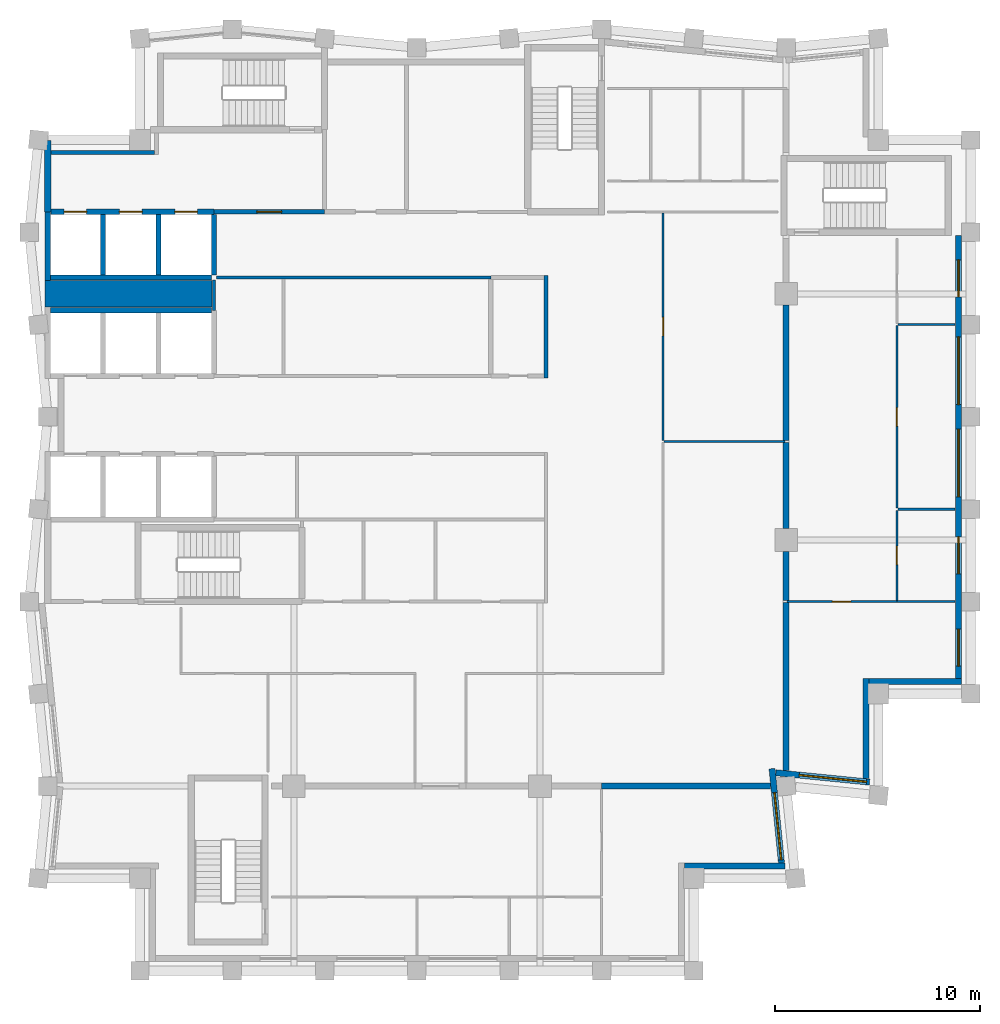
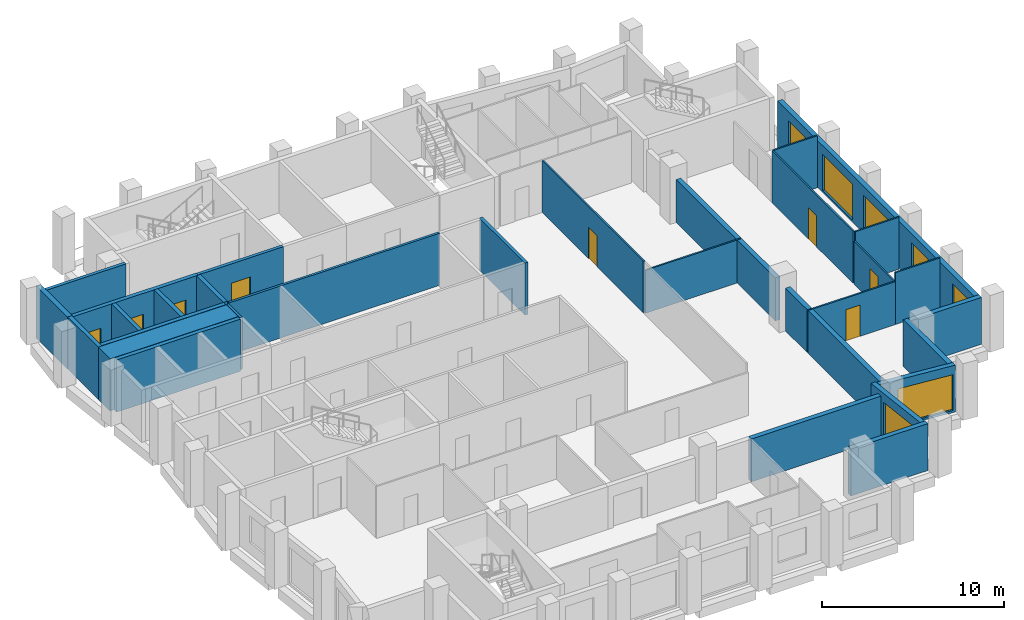
# One storey, part 4 of 7: 33 walls, 8 doors, 7 windows, 15 openings.
"""IFC4 building model written with IfcOpenShell, lengths in metres."""

from ifc_helpers import new_model, si_unit, direction, frame, frame_2d, origin, place, context, subcontext, project, spatial, rectangle, extrude, material, layer, layer_set, type_object, element, fill, save


model = new_model("IFC4")

# Units and contexts
model_context = context("Model", 3, precision=1e-05, world=origin(), true_north=direction((0.0, 1.0)))
body_context = subcontext(model_context, "Body", "Model", "MODEL_VIEW")
ifc_project = project(units=[si_unit("LENGTHUNIT", "METRE"), si_unit("AREAUNIT", "SQUARE_METRE"), si_unit("VOLUMEUNIT", "CUBIC_METRE"), si_unit("PLANEANGLEUNIT", "RADIAN"), si_unit("MASSUNIT", "GRAM", prefix="KILO")], contexts=[model_context])

# Site, building, storey
site_placement = place(None, origin())
site = spatial("IfcSite", under=ifc_project, at=site_placement, CompositionType="ELEMENT")
building_placement = place(site_placement, origin())
building = spatial("IfcBuilding", under=site, at=building_placement, Name="Brondeck Convention Tower", CompositionType="ELEMENT")
storey_placement = place(building_placement, frame((0.0, 0.0, 267.60009765625)))
storey = spatial("IfcBuildingStorey", under=building, at=storey_placement, Name="L66", CompositionType="ELEMENT", Elevation=267.60009765625)

# Walls
ifc_material_1 = material(Name="Concrete compartment wall C30/37", Category="concrete")
ifc_layer_1 = layer(ifc_material_1, 0.300048828125)
ifc_layer_set_1 = layer_set([ifc_layer_1], Name="Compartment wall 300")
wall_type_1 = type_object("IfcWallType", Name="Compartment wall 300", PredefinedType="PARTITIONING", material=ifc_layer_set_1)
wall_1_placement = place(storey_placement, frame((27.0, 27.0, 0.0), z_axis=(0.0, 0.0, 1.0), x_axis=(1.0, 0.0, 0.0)))
element("IfcWall", 1, at=wall_1_placement, inside=storey, type_object=wall_type_1, Name="FLR-L66-W018", PredefinedType="PARTITIONING", context=body_context, shape_type="SweptSolid", body=[
    extrude(rectangle(XDim=8.226318359375, YDim=0.300048828125, at=frame_2d((4.11328125, 0.0))), origin(), (0.0, 0.0, 1.0), 2.8798828125),
])
wall_2_placement = place(storey_placement, frame((36.0, 27.773681640625, 0.0), z_axis=(0.0, 0.0, 1.0), x_axis=(0.0, 1.0, 0.0)))
element("IfcWall", 2, at=wall_2_placement, inside=storey, type_object=wall_type_1, Name="FLR-L66-W021", PredefinedType="PARTITIONING", context=body_context, shape_type="SweptSolid", body=[
    extrude(rectangle(XDim=8.17626953125, YDim=0.300048828125, at=frame_2d((4.088134765625, 0.0))), origin(), (0.0, 0.0, 1.0), 2.8798828125),
])
wall_3_placement = place(storey_placement, frame((36.0, 36.050048828125, 0.0), z_axis=(0.0, 0.0, 1.0), x_axis=(0.0, 1.0, 0.0)))
element("IfcWall", 3, at=wall_3_placement, inside=storey, type_object=wall_type_1, Name="FLR-L66-W031", PredefinedType="PARTITIONING", context=body_context, shape_type="SweptSolid", body=[
    extrude(rectangle(XDim=2.39501953125, YDim=0.300048828125, at=frame_2d((1.197509765625, 0.0))), origin(), (0.0, 0.0, 1.0), 2.8798828125),
])
wall_4_placement = place(storey_placement, frame((36.0, 39.554931640625, 0.0), z_axis=(0.0, 0.0, 1.0), x_axis=(0.0, 1.0, 0.0)))
element("IfcWall", 4, at=wall_4_placement, inside=storey, type_object=wall_type_1, Name="FLR-L66-W032", PredefinedType="PARTITIONING", context=body_context, shape_type="SweptSolid", body=[
    extrude(rectangle(XDim=4.195068359375, YDim=0.300048828125, at=frame_2d((2.09765625, 0.0))), origin(), (0.0, 0.0, 1.0), 2.8798828125),
])
wall_5_placement = place(storey_placement, frame((36.0, 43.85009765625, 0.0), z_axis=(0.0, 0.0, 1.0), x_axis=(0.0, 1.0, 0.0)))
element("IfcWall", 5, at=wall_5_placement, inside=storey, type_object=wall_type_1, Name="FLR-L66-W037", PredefinedType="PARTITIONING", context=body_context, shape_type="SweptSolid", body=[
    extrude(rectangle(XDim=6.594970703125, YDim=0.300048828125, at=frame_2d((3.29736328125, 0.0))), origin(), (0.0, 0.0, 1.0), 2.8798828125),
])
ifc_material_2 = material(Name="Concrete C50/60", Category="concrete")
ifc_layer_2 = layer(ifc_material_2, 0.199951171875)
ifc_layer_set_2 = layer_set([ifc_layer_2], Name="Core beam-seat wall 200 Concrete C50/60")
wall_type_2 = type_object("IfcWallType", Name="Core beam-seat wall 200 Concrete C50/60", PredefinedType="SHEAR", material=ifc_layer_set_2)
wall_6_placement = place(storey_placement, frame((24.300048828125, 46.89990234375, 0.0), z_axis=(0.0, 0.0, 1.0), x_axis=(0.0, 1.0, 0.0)))
element("IfcWall", 6, at=wall_6_placement, inside=storey, type_object=wall_type_2, Name="L66 core wall", PredefinedType="SHEAR", context=body_context, shape_type="SweptSolid", body=[
    extrude(rectangle(XDim=5.0, YDim=0.199951171875, at=frame_2d((2.5, 0.0))), origin(), (0.0, 0.0, 1.0), 3.5),
])
ifc_layer_3 = layer(ifc_material_2, 0.300048828125)
ifc_layer_set_3 = layer_set([ifc_layer_3], Name="Core outer wall 300 Concrete C50/60")
wall_type_3 = type_object("IfcWallType", Name="Core outer wall 300 Concrete C50/60", PredefinedType="SHEAR", material=ifc_layer_set_3)
wall_7_placement = place(storey_placement, frame((0.0, 55.0, 0.0), z_axis=(0.0, 0.0, 1.0), x_axis=(0.0, 1.0, 0.0)))
element("IfcWall", 7, at=wall_7_placement, inside=storey, type_object=wall_type_3, Name="L66 core wall", PredefinedType="SHEAR", context=body_context, shape_type="SweptSolid", body=[
    extrude(rectangle(XDim=3.4775390625, YDim=0.300048828125, at=frame_2d((1.73876953125, 0.0))), origin(), (0.0, 0.0, 1.0), 3.5),
])
ifc_material_3 = material(Name="Fire-rated gypsum board partition")
ifc_layer_4 = layer(ifc_material_3, 0.14990234375)
ifc_layer_set_4 = layer_set([ifc_layer_4], Name="Core partition 150 EI 60")
wall_type_4 = type_object("IfcWallType", Name="Core partition 150 EI 60", PredefinedType="PARTITIONING", material=ifc_layer_set_4)
wall_8_placement = place(storey_placement, frame((8.22509765625, 51.800048828125, 0.0), z_axis=(0.0, 0.0, 1.0), x_axis=(1.0, 0.0, 0.0)))
element("IfcWall", 8, at=wall_8_placement, inside=storey, type_object=wall_type_4, Name="L66 core wall", PredefinedType="PARTITIONING", context=body_context, shape_type="SweptSolid", body=[
    extrude(rectangle(XDim=13.375, YDim=0.14990234375, at=frame_2d((6.6875, 0.0))), origin(), (0.0, 0.0, 1.0), 3.5),
])
wall_9_placement = place(storey_placement, frame((8.10009765625, 50.199951171875, 0.0), z_axis=(0.0, 0.0, 1.0), x_axis=(0.0, 1.0, 0.0)))
element("IfcWall", 9, at=wall_9_placement, inside=storey, type_object=wall_type_4, Name="L66 core wall", PredefinedType="PARTITIONING", context=body_context, shape_type="SweptSolid", body=[
    extrude(rectangle(XDim=1.47509765625, YDim=0.14990234375, at=frame_2d((0.737548828125, 0.0))), origin(), (0.0, 0.0, 1.0), 3.5),
])
ifc_layer_5 = layer(ifc_material_2, 1.300048828125)
ifc_layer_set_5 = layer_set([ifc_layer_5], Name="Core shear wall 1300 Concrete C50/60")
wall_type_5 = type_object("IfcWallType", Name="Core shear wall 1300 Concrete C50/60", PredefinedType="SHEAR", material=ifc_layer_set_5)
wall_10_placement = place(storey_placement, frame((-0.125, 51.0, 0.0), z_axis=(0.0, 0.0, 1.0), x_axis=(1.0, 0.0, 0.0)))
element("IfcWall", 10, at=wall_10_placement, inside=storey, type_object=wall_type_5, Name="L66 core wall", PredefinedType="SHEAR", context=body_context, shape_type="SweptSolid", body=[
    extrude(rectangle(XDim=8.125, YDim=1.300048828125, at=frame_2d((4.0625, 0.0))), origin(), (0.0, 0.0, 1.0), 3.5),
])
ifc_material_4 = material(Name="Precast concrete C50/60 bronze finish", Category="concrete")
ifc_layer_6 = layer(ifc_material_4, 0.070068359375, Name="Bronze precast facing")
ifc_material_5 = material(Name="Mineral wool")
ifc_layer_7 = layer(ifc_material_5, 0.159912109375, Name="Insulation")
ifc_material_6 = material(Name="Concrete C35/45", Category="concrete")
ifc_layer_8 = layer(ifc_material_6, 0.070068359375, Name="Backing")
ifc_layer_set_6 = layer_set([ifc_layer_6, ifc_layer_7, ifc_layer_8], Name="External infill wall, precast concrete C50/60 bronze facing")
wall_type_6 = type_object("IfcWallType", Name="External infill wall, precast concrete C50/60 bronze facing", PredefinedType="SOLIDWALL", material=ifc_layer_set_6)
wall_11_placement = place(storey_placement, frame((35.952880859375, 23.10009765625, 0.0), z_axis=(0.0, 0.0, 1.0), x_axis=(-1.0, 0.0, 0.0)))
element("IfcWall", 11, at=wall_11_placement, inside=storey, type_object=wall_type_6, Name="ENV-EW-L66-P3-NC-SEB18-02", PredefinedType="SOLIDWALL", context=body_context, shape_type="SweptSolid", body=[
    extrude(rectangle(XDim=4.90283203125, YDim=0.300048828125, at=frame_2d((2.451416015625, 0.0))), origin(), (0.0, 0.0, 1.0), 3.14990234375),
])

# Wall, opening, window
wall_12_placement = place(storey_placement, frame((35.311767578125, 27.852294921875, 0.0), z_axis=(0.0, 0.0, 1.0), x_axis=(0.099503719021, -0.99503719021, 0.0)))
wall_12 = element("IfcWall", 12, at=wall_12_placement, inside=storey, type_object=wall_type_6, Name="ENV-EW-L66-P3-B-E-00", PredefinedType="SOLIDWALL", context=body_context, shape_type="SweptSolid", body=[
    extrude(rectangle(XDim=4.6201171875, YDim=0.300048828125, at=frame_2d((2.31005859375, 0.0))), origin(), (0.0, 0.0, 1.0), 3.14990234375),
])
opening_1_placement = place(wall_12_placement, frame((1.170166015625, 0.0, 0.14990234375)))
opening_1 = element("IfcOpeningElement", 13, at=opening_1_placement, cuts=wall_12, Name="Opening W9", PredefinedType="OPENING", context=body_context, shape_type="SweptSolid", body=[
    extrude(rectangle(XDim=3.300048828125, YDim=2.39990234375, at=frame_2d((1.64990234375, 1.199951171875))), frame((0.0, 0.159912109375, 0.0), z_axis=(0.0, -1.0, 0.0), x_axis=(1.0, 0.0, 0.0)), (0.0, 0.0, 1.0), 0.320068359375),
])
ifc_material_7 = material(Name="Bronze tinted double glazing", Category="glass")
window_type_1 = type_object("IfcWindowType", Name="Glazed flute window, bronze tinted", PartitioningType="SINGLE_PANEL", PredefinedType="WINDOW", material=ifc_material_7)
window_1_placement = place(opening_1_placement, origin())
window_1 = element("IfcWindow", 14, at=window_1_placement, inside=storey, type_object=window_type_1, Name="ENV-WN-L66-P3-B-E-00", OverallHeight=2.39990234375, OverallWidth=3.300048828125, PartitioningType="SINGLE_PANEL", PredefinedType="WINDOW", context=body_context, shape_type="SweptSolid", body=[
    extrude(rectangle(XDim=3.300048828125, YDim=2.39990234375, at=frame_2d((1.64990234375, 1.199951171875))), frame((0.0, 0.030029296875, 0.0), z_axis=(0.0, -1.0, 0.0), x_axis=(1.0, 0.0, 0.0)), (0.0, 0.0, 1.0), 0.06005859375),
])
fill(opening_1, window_1)

wall_13_placement = place(storey_placement, frame((40.06494140625, 27.196533203125, 0.0), z_axis=(0.0, 0.0, 1.0), x_axis=(-0.995036663613, 0.099508984853, 0.0)))
wall_13 = element("IfcWall", 15, at=wall_13_placement, inside=storey, type_object=wall_type_6, Name="ENV-EW-L66-P3-A-S-00", PredefinedType="SOLIDWALL", context=body_context, shape_type="SweptSolid", body=[
    extrude(rectangle(XDim=4.59033203125, YDim=0.300048828125, at=frame_2d((2.295166015625, 0.0))), origin(), (0.0, 0.0, 1.0), 3.14990234375),
])
opening_2_placement = place(wall_13_placement, frame((0.14990234375, 0.0, 0.14990234375)))
opening_2 = element("IfcOpeningElement", 16, at=opening_2_placement, cuts=wall_13, Name="Opening W9", PredefinedType="OPENING", context=body_context, shape_type="SweptSolid", body=[
    extrude(rectangle(XDim=3.300048828125, YDim=2.39990234375, at=frame_2d((1.64990234375, 1.199951171875))), frame((0.0, 0.159912109375, 0.0), z_axis=(0.0, -1.0, 0.0), x_axis=(1.0, 0.0, 0.0)), (0.0, 0.0, 1.0), 0.320068359375),
])
window_2_placement = place(opening_2_placement, origin())
window_2 = element("IfcWindow", 17, at=window_2_placement, inside=storey, type_object=window_type_1, Name="ENV-WN-L66-P3-A-S-00", OverallHeight=2.39990234375, OverallWidth=3.300048828125, PartitioningType="SINGLE_PANEL", PredefinedType="WINDOW", context=body_context, shape_type="SweptSolid", body=[
    extrude(rectangle(XDim=3.300048828125, YDim=2.39990234375, at=frame_2d((1.64990234375, 1.199951171875))), frame((0.0, 0.030029296875, 0.0), z_axis=(0.0, -1.0, 0.0), x_axis=(1.0, 0.0, 0.0)), (0.0, 0.0, 1.0), 0.06005859375),
])
fill(opening_2, window_2)

# Walls
wall_14_placement = place(storey_placement, frame((39.89990234375, 32.25, 0.0), z_axis=(0.0, 0.0, 1.0), x_axis=(0.0, -1.0, 0.0)))
element("IfcWall", 18, at=wall_14_placement, inside=storey, type_object=wall_type_6, Name="ENV-EW-L66-P3-NC-SEA45-01", PredefinedType="SOLIDWALL", context=body_context, shape_type="SweptSolid", body=[
    extrude(rectangle(XDim=4.881103515625, YDim=0.300048828125, at=frame_2d((2.4404296875, 0.0))), origin(), (0.0, 0.0, 1.0), 3.14990234375),
])
wall_15_placement = place(storey_placement, frame((44.550048828125, 32.10009765625, 0.0), z_axis=(0.0, 0.0, 1.0), x_axis=(-1.0, 0.0, 0.0)))
element("IfcWall", 19, at=wall_15_placement, inside=storey, type_object=wall_type_6, Name="ENV-EW-L66-P3-NC-SEA45-02", PredefinedType="SOLIDWALL", context=body_context, shape_type="SweptSolid", body=[
    extrude(rectangle(XDim=4.501953125, YDim=0.300048828125, at=frame_2d((2.2509765625, 0.0))), origin(), (0.0, 0.0, 1.0), 3.14990234375),
])

# Wall, openings, windows
wall_16_placement = place(storey_placement, frame((44.39990234375, 53.85009765625, 0.0), z_axis=(0.0, 0.0, 1.0), x_axis=(0.0, -1.0, 0.0)))
wall_16 = element("IfcWall", 20, at=wall_16_placement, inside=storey, type_object=wall_type_6, Name="ENV-EW-L66-P3-A-E45-01", PredefinedType="SOLIDWALL", context=body_context, shape_type="SweptSolid", body=[
    extrude(rectangle(XDim=21.60205078125, YDim=0.300048828125, at=frame_2d((10.801025390625, 0.0))), origin(), (0.0, 0.0, 1.0), 3.14990234375),
])
opening_3_placement = place(wall_16_placement, frame((1.199951171875, 0.0, 0.75)))
opening_3 = element("IfcOpeningElement", 21, at=opening_3_placement, cuts=wall_16, Name="Opening W10", PredefinedType="OPENING", context=body_context, shape_type="SweptSolid", body=[
    extrude(rectangle(XDim=1.800048828125, YDim=1.800048828125, at=frame_2d((0.89990234375, 0.89990234375))), frame((0.0, 0.159912109375, 0.0), z_axis=(0.0, -1.0, 0.0), x_axis=(1.0, 0.0, 0.0)), (0.0, 0.0, 1.0), 0.320068359375),
])
opening_4_placement = place(wall_16_placement, frame((4.949951171875, 0.0, 0.14990234375)))
opening_4 = element("IfcOpeningElement", 22, at=opening_4_placement, cuts=wall_16, Name="Opening W9", PredefinedType="OPENING", context=body_context, shape_type="SweptSolid", body=[
    extrude(rectangle(XDim=3.300048828125, YDim=2.39990234375, at=frame_2d((1.64990234375, 1.199951171875))), frame((0.0, 0.159912109375, 0.0), z_axis=(0.0, -1.0, 0.0), x_axis=(1.0, 0.0, 0.0)), (0.0, 0.0, 1.0), 0.320068359375),
])
opening_5_placement = place(wall_16_placement, frame((9.449951171875, 0.0, 0.14990234375)))
opening_5 = element("IfcOpeningElement", 23, at=opening_5_placement, cuts=wall_16, Name="Opening W9", PredefinedType="OPENING", context=body_context, shape_type="SweptSolid", body=[
    extrude(rectangle(XDim=3.300048828125, YDim=2.39990234375, at=frame_2d((1.64990234375, 1.199951171875))), frame((0.0, 0.159912109375, 0.0), z_axis=(0.0, -1.0, 0.0), x_axis=(1.0, 0.0, 0.0)), (0.0, 0.0, 1.0), 0.320068359375),
])
opening_6_placement = place(wall_16_placement, frame((14.699951171875, 0.0, 0.75)))
opening_6 = element("IfcOpeningElement", 24, at=opening_6_placement, cuts=wall_16, Name="Opening W10", PredefinedType="OPENING", context=body_context, shape_type="SweptSolid", body=[
    extrude(rectangle(XDim=1.800048828125, YDim=1.800048828125, at=frame_2d((0.89990234375, 0.89990234375))), frame((0.0, 0.159912109375, 0.0), z_axis=(0.0, -1.0, 0.0), x_axis=(1.0, 0.0, 0.0)), (0.0, 0.0, 1.0), 0.320068359375),
])
opening_7_placement = place(wall_16_placement, frame((19.199951171875, 0.0, 0.75)))
opening_7 = element("IfcOpeningElement", 25, at=opening_7_placement, cuts=wall_16, Name="Opening W10", PredefinedType="OPENING", context=body_context, shape_type="SweptSolid", body=[
    extrude(rectangle(XDim=1.800048828125, YDim=1.800048828125, at=frame_2d((0.89990234375, 0.89990234375))), frame((0.0, 0.159912109375, 0.0), z_axis=(0.0, -1.0, 0.0), x_axis=(1.0, 0.0, 0.0)), (0.0, 0.0, 1.0), 0.320068359375),
])
window_3_placement = place(opening_4_placement, origin())
window_3 = element("IfcWindow", 26, at=window_3_placement, inside=storey, type_object=window_type_1, Name="ENV-WN-L66-P3-A-E45-04", OverallHeight=2.39990234375, OverallWidth=3.300048828125, PartitioningType="SINGLE_PANEL", PredefinedType="WINDOW", context=body_context, shape_type="SweptSolid", body=[
    extrude(rectangle(XDim=3.300048828125, YDim=2.39990234375, at=frame_2d((1.64990234375, 1.199951171875))), frame((0.0, 0.030029296875, 0.0), z_axis=(0.0, -1.0, 0.0), x_axis=(1.0, 0.0, 0.0)), (0.0, 0.0, 1.0), 0.06005859375),
])
fill(opening_4, window_3)
window_4_placement = place(opening_5_placement, origin())
window_4 = element("IfcWindow", 27, at=window_4_placement, inside=storey, type_object=window_type_1, Name="ENV-WN-L66-P3-A-E45-03", OverallHeight=2.39990234375, OverallWidth=3.300048828125, PartitioningType="SINGLE_PANEL", PredefinedType="WINDOW", context=body_context, shape_type="SweptSolid", body=[
    extrude(rectangle(XDim=3.300048828125, YDim=2.39990234375, at=frame_2d((1.64990234375, 1.199951171875))), frame((0.0, 0.030029296875, 0.0), z_axis=(0.0, -1.0, 0.0), x_axis=(1.0, 0.0, 0.0)), (0.0, 0.0, 1.0), 0.06005859375),
])
fill(opening_5, window_4)
window_type_2 = type_object("IfcWindowType", Name="Punched window, bronze tinted", PartitioningType="SINGLE_PANEL", PredefinedType="WINDOW", material=ifc_material_7)
window_5_placement = place(opening_3_placement, origin())
window_5 = element("IfcWindow", 28, at=window_5_placement, inside=storey, type_object=window_type_2, Name="ENV-WN-L66-P3-A-E45-05", OverallHeight=1.800048828125, OverallWidth=1.800048828125, PartitioningType="SINGLE_PANEL", PredefinedType="WINDOW", context=body_context, shape_type="SweptSolid", body=[
    extrude(rectangle(XDim=1.800048828125, YDim=1.800048828125, at=frame_2d((0.89990234375, 0.89990234375))), frame((0.0, 0.030029296875, 0.0), z_axis=(0.0, -1.0, 0.0), x_axis=(1.0, 0.0, 0.0)), (0.0, 0.0, 1.0), 0.06005859375),
])
fill(opening_3, window_5)
window_6_placement = place(opening_6_placement, origin())
window_6 = element("IfcWindow", 29, at=window_6_placement, inside=storey, type_object=window_type_2, Name="ENV-WN-L66-P3-A-E45-02", OverallHeight=1.800048828125, OverallWidth=1.800048828125, PartitioningType="SINGLE_PANEL", PredefinedType="WINDOW", context=body_context, shape_type="SweptSolid", body=[
    extrude(rectangle(XDim=1.800048828125, YDim=1.800048828125, at=frame_2d((0.89990234375, 0.89990234375))), frame((0.0, 0.030029296875, 0.0), z_axis=(0.0, -1.0, 0.0), x_axis=(1.0, 0.0, 0.0)), (0.0, 0.0, 1.0), 0.06005859375),
])
fill(opening_6, window_6)
window_7_placement = place(opening_7_placement, origin())
window_7 = element("IfcWindow", 30, at=window_7_placement, inside=storey, type_object=window_type_2, Name="ENV-WN-L66-P3-A-E45-01", OverallHeight=1.800048828125, OverallWidth=1.800048828125, PartitioningType="SINGLE_PANEL", PredefinedType="WINDOW", context=body_context, shape_type="SweptSolid", body=[
    extrude(rectangle(XDim=1.800048828125, YDim=1.800048828125, at=frame_2d((0.89990234375, 0.89990234375))), frame((0.0, 0.030029296875, 0.0), z_axis=(0.0, -1.0, 0.0), x_axis=(1.0, 0.0, 0.0)), (0.0, 0.0, 1.0), 0.06005859375),
])
fill(opening_7, window_7)

# Wall, opening, door
ifc_layer_9 = layer(ifc_material_3, 0.199951171875)
ifc_layer_set_7 = layer_set([ifc_layer_9], Name="Firefighting lobby wall 200 EI 120")
wall_type_7 = type_object("IfcWallType", Name="Firefighting lobby wall 200 EI 120", PredefinedType="PARTITIONING", material=ifc_layer_set_7)
wall_17_placement = place(storey_placement, frame((8.10009765625, 55.0, 0.0), z_axis=(0.0, 0.0, 1.0), x_axis=(1.0, 0.0, 0.0)))
wall_17 = element("IfcWall", 31, at=wall_17_placement, inside=storey, type_object=wall_type_7, Name="L66 core wall", PredefinedType="PARTITIONING", context=body_context, shape_type="SweptSolid", body=[
    extrude(rectangle(XDim=5.39990234375, YDim=0.199951171875, at=frame_2d((2.699951171875, 0.0))), origin(), (0.0, 0.0, 1.0), 3.5),
])
opening_8_placement = place(wall_17_placement, frame((2.10009765625, 0.0, 0.0)))
opening_8 = element("IfcOpeningElement", 32, at=opening_8_placement, cuts=wall_17, Name="Opening C37-01", PredefinedType="OPENING", context=body_context, shape_type="SweptSolid", body=[
    extrude(rectangle(XDim=1.199951171875, YDim=2.199951171875, at=frame_2d((0.60009765625, 1.10009765625))), frame((0.0, 0.10986328125, 0.0), z_axis=(0.0, -1.0, 0.0), x_axis=(1.0, 0.0, 0.0)), (0.0, 0.0, 1.0), 0.219970703125),
])
ifc_material_8 = material(Name="Steel fire door", Category="steel")
door_type_1 = type_object("IfcDoorType", Name="Firefighting lobby door 1200x2200 EI 120", OperationType="NOTDEFINED", PredefinedType="DOOR", material=ifc_material_8)
door_1_placement = place(opening_8_placement, origin())
door_1 = element("IfcDoor", 33, at=door_1_placement, inside=storey, type_object=door_type_1, Name="L66 Firefighting lobby door FFL-1", OperationType="SINGLE_SWING_RIGHT", OverallHeight=2.199951171875, OverallWidth=1.199951171875, PredefinedType="DOOR", context=body_context, shape_type="SweptSolid", body=[
    extrude(rectangle(XDim=1.199951171875, YDim=2.199951171875, at=frame_2d((0.60009765625, 1.10009765625))), frame((0.0, 0.02490234375, 0.0), z_axis=(0.0, -1.0, 0.0), x_axis=(1.0, 0.0, 0.0)), (0.0, 0.0, 1.0), 0.050048828125),
])
fill(opening_8, door_1)

# Walls
wall_18_placement = place(storey_placement, frame((0.14990234375, 57.89990234375, 0.0), z_axis=(0.0, 0.0, 1.0), x_axis=(1.0, 0.0, 0.0)))
element("IfcWall", 34, at=wall_18_placement, inside=storey, type_object=wall_type_7, Name="L66 core wall", PredefinedType="PARTITIONING", context=body_context, shape_type="SweptSolid", body=[
    extrude(rectangle(XDim=5.050048828125, YDim=0.199951171875, at=frame_2d((2.52490234375, 0.0))), origin(), (0.0, 0.0, 1.0), 3.5),
])
ifc_layer_10 = layer(ifc_material_2, 0.25)
ifc_layer_set_8 = layer_set([ifc_layer_10], Name="Lift shaft wall 250 Concrete C50/60")
wall_type_8 = type_object("IfcWallType", Name="Lift shaft wall 250 Concrete C50/60", PredefinedType="SHEAR", material=ifc_layer_set_8)
for number, where, z_axis, x_axis, name in (
    (35, (0.125, 50.199951171875, 0.0), (0.0, 0.0, 1.0), (1.0, 0.0, 0.0), "L66 core wall"),
    (36, (0.125, 51.800048828125, 0.0), (0.0, 0.0, 1.0), (1.0, 0.0, 0.0), "L66 core wall"),
):
    element("IfcWall", number, at=place(storey_placement, frame(where, z_axis=z_axis, x_axis=x_axis)), inside=storey, type_object=wall_type_8, Name=name, PredefinedType="SHEAR", context=body_context, shape_type="SweptSolid", body=[
        extrude(rectangle(XDim=7.85009765625, YDim=0.25, at=frame_2d((3.925048828125, 0.0))), origin(), (0.0, 0.0, 1.0), 3.5),
    ])

# Wall, openings, doors
wall_19_placement = place(storey_placement, frame((0.14990234375, 55.0, 0.0), z_axis=(0.0, 0.0, 1.0), x_axis=(1.0, 0.0, 0.0)))
wall_19 = element("IfcWall", 37, at=wall_19_placement, inside=storey, type_object=wall_type_8, Name="L66 core wall", PredefinedType="SHEAR", context=body_context, shape_type="SweptSolid", body=[
    extrude(rectangle(XDim=7.9501953125, YDim=0.25, at=frame_2d((3.97509765625, 0.0))), origin(), (0.0, 0.0, 1.0), 3.5),
])
opening_9_placement = place(wall_19_placement, frame((0.64990234375, 0.0, 0.0)))
opening_9 = element("IfcOpeningElement", 38, at=opening_9_placement, cuts=wall_19, Name="Opening C37-18", PredefinedType="OPENING", context=body_context, shape_type="SweptSolid", body=[
    extrude(rectangle(XDim=1.10009765625, YDim=2.10009765625, at=frame_2d((0.550048828125, 1.050048828125))), frame((0.0, 0.135009765625, 0.0), z_axis=(0.0, -1.0, 0.0), x_axis=(1.0, 0.0, 0.0)), (0.0, 0.0, 1.0), 0.27001953125),
])
opening_10_placement = place(wall_19_placement, frame((3.35009765625, 0.0, 0.0)))
opening_10 = element("IfcOpeningElement", 39, at=opening_10_placement, cuts=wall_19, Name="Opening C37-19", PredefinedType="OPENING", context=body_context, shape_type="SweptSolid", body=[
    extrude(rectangle(XDim=1.10009765625, YDim=2.10009765625, at=frame_2d((0.550048828125, 1.050048828125))), frame((0.0, 0.135009765625, 0.0), z_axis=(0.0, -1.0, 0.0), x_axis=(1.0, 0.0, 0.0)), (0.0, 0.0, 1.0), 0.27001953125),
])
opening_11_placement = place(wall_19_placement, frame((6.050048828125, 0.0, 0.0)))
opening_11 = element("IfcOpeningElement", 40, at=opening_11_placement, cuts=wall_19, Name="Opening C37-20", PredefinedType="OPENING", context=body_context, shape_type="SweptSolid", body=[
    extrude(rectangle(XDim=1.10009765625, YDim=2.10009765625, at=frame_2d((0.550048828125, 1.050048828125))), frame((0.0, 0.135009765625, 0.0), z_axis=(0.0, -1.0, 0.0), x_axis=(1.0, 0.0, 0.0)), (0.0, 0.0, 1.0), 0.27001953125),
])
ifc_material_9 = material(Name="Stainless steel lift door", Category="steel")
door_type_2 = type_object("IfcDoorType", Name="Lift landing door 1100x2100 EI 180", OperationType="DOUBLE_DOOR_SLIDING", PredefinedType="DOOR", material=ifc_material_9)
door_2_placement = place(opening_9_placement, origin())
door_2 = element("IfcDoor", 41, at=door_2_placement, inside=storey, type_object=door_type_2, Name="L66 Lift landing door FF1", OperationType="DOUBLE_DOOR_SLIDING", OverallHeight=2.10009765625, OverallWidth=1.10009765625, PredefinedType="DOOR", context=body_context, shape_type="SweptSolid", body=[
    extrude(rectangle(XDim=1.10009765625, YDim=2.10009765625, at=frame_2d((0.550048828125, 1.050048828125))), frame((0.0, 0.02490234375, 0.0), z_axis=(0.0, -1.0, 0.0), x_axis=(1.0, 0.0, 0.0)), (0.0, 0.0, 1.0), 0.050048828125),
])
fill(opening_9, door_2)
door_3_placement = place(opening_10_placement, origin())
door_3 = element("IfcDoor", 42, at=door_3_placement, inside=storey, type_object=door_type_2, Name="L66 Lift landing door FF2", OperationType="DOUBLE_DOOR_SLIDING", OverallHeight=2.10009765625, OverallWidth=1.10009765625, PredefinedType="DOOR", context=body_context, shape_type="SweptSolid", body=[
    extrude(rectangle(XDim=1.10009765625, YDim=2.10009765625, at=frame_2d((0.550048828125, 1.050048828125))), frame((0.0, 0.02490234375, 0.0), z_axis=(0.0, -1.0, 0.0), x_axis=(1.0, 0.0, 0.0)), (0.0, 0.0, 1.0), 0.050048828125),
])
fill(opening_10, door_3)
door_4_placement = place(opening_11_placement, origin())
door_4 = element("IfcDoor", 43, at=door_4_placement, inside=storey, type_object=door_type_2, Name="L66 Lift landing door FF3", OperationType="DOUBLE_DOOR_SLIDING", OverallHeight=2.10009765625, OverallWidth=1.10009765625, PredefinedType="DOOR", context=body_context, shape_type="SweptSolid", body=[
    extrude(rectangle(XDim=1.10009765625, YDim=2.10009765625, at=frame_2d((0.550048828125, 1.050048828125))), frame((0.0, 0.02490234375, 0.0), z_axis=(0.0, -1.0, 0.0), x_axis=(1.0, 0.0, 0.0)), (0.0, 0.0, 1.0), 0.050048828125),
])
fill(opening_11, door_4)

# Walls
wall_20_placement = place(storey_placement, frame((0.0, 51.64990234375, 0.0), z_axis=(0.0, 0.0, 1.0), x_axis=(0.0, 1.0, 0.0)))
element("IfcWall", 44, at=wall_20_placement, inside=storey, type_object=wall_type_8, Name="L66 core wall", PredefinedType="SHEAR", context=body_context, shape_type="SweptSolid", body=[
    extrude(rectangle(XDim=3.35009765625, YDim=0.25, at=frame_2d((1.675048828125, 0.0))), origin(), (0.0, 0.0, 1.0), 3.5),
])
for number, where, z_axis, x_axis, name in (
    (45, (2.699951171875, 51.925048828125, 0.0), (0.0, 0.0, 1.0), (0.0, 1.0, 0.0), "L66 core wall"),
    (46, (5.39990234375, 51.925048828125, 0.0), (0.0, 0.0, 1.0), (0.0, 1.0, 0.0), "L66 core wall"),
    (47, (8.10009765625, 51.925048828125, 0.0), (0.0, 0.0, 1.0), (0.0, 1.0, 0.0), "L66 core wall"),
):
    element("IfcWall", number, at=place(storey_placement, frame(where, z_axis=z_axis, x_axis=x_axis)), inside=storey, type_object=wall_type_8, Name=name, PredefinedType="SHEAR", context=body_context, shape_type="SweptSolid", body=[
        extrude(rectangle(XDim=2.949951171875, YDim=0.25, at=frame_2d((1.47509765625, 0.0))), origin(), (0.0, 0.0, 1.0), 3.5),
    ])

# Wall, opening, door
ifc_material_10 = material(Name="Gypsum board partition on steel studs", Category="steel")
ifc_layer_11 = layer(ifc_material_10, 0.10009765625)
ifc_layer_set_9 = layer_set([ifc_layer_11], Name="Room partition 100")
wall_type_9 = type_object("IfcWallType", Name="Room partition 100", PredefinedType="PARTITIONING", material=ifc_layer_set_9)
wall_21_placement = place(storey_placement, frame((41.39990234375, 36.0, 0.0), z_axis=(0.0, 0.0, 1.0), x_axis=(-1.0, 0.0, 0.0)))
wall_21 = element("IfcWall", 48, at=wall_21_placement, inside=storey, type_object=wall_type_9, Name="FLR-L66-W029", PredefinedType="PARTITIONING", context=body_context, shape_type="SweptSolid", body=[
    extrude(rectangle(XDim=5.349853515625, YDim=0.10009765625, at=frame_2d((2.6748046875, 0.0))), origin(), (0.0, 0.0, 1.0), 2.8798828125),
])
opening_12_placement = place(wall_21_placement, frame((2.25, 0.0, 0.0)))
opening_12 = element("IfcOpeningElement", 49, at=opening_12_placement, cuts=wall_21, Name="Opening EX-C-004", PredefinedType="OPENING", context=body_context, shape_type="SweptSolid", body=[
    extrude(rectangle(XDim=0.89990234375, YDim=2.10009765625, at=frame_2d((0.449951171875, 1.050048828125))), frame((0.0, 0.06005859375, 0.0), z_axis=(0.0, -1.0, 0.0), x_axis=(1.0, 0.0, 0.0)), (0.0, 0.0, 1.0), 0.1201171875),
])
ifc_material_11 = material(Name="Solid timber door leaf", Category="wood")
door_type_3 = type_object("IfcDoorType", Name="Single door 900", OperationType="NOTDEFINED", PredefinedType="DOOR", material=ifc_material_11)
door_5_placement = place(opening_12_placement, origin())
door_5 = element("IfcDoor", 50, at=door_5_placement, inside=storey, type_object=door_type_3, Name="Door EX-C-004", OperationType="SINGLE_SWING_LEFT", OverallHeight=2.10009765625, OverallWidth=0.89990234375, PredefinedType="DOOR", context=body_context, shape_type="SweptSolid", body=[
    extrude(rectangle(XDim=0.89990234375, YDim=2.10009765625, at=frame_2d((0.449951171875, 1.050048828125))), frame((0.0, 0.02490234375, 0.0), z_axis=(0.0, -1.0, 0.0), x_axis=(1.0, 0.0, 0.0)), (0.0, 0.0, 1.0), 0.050048828125),
])
fill(opening_12, door_5)

# Wall
wall_22_placement = place(storey_placement, frame((44.22998046875, 36.0, 0.0), z_axis=(0.0, 0.0, 1.0), x_axis=(-1.0, 0.0, 0.0)))
element("IfcWall", 51, at=wall_22_placement, inside=storey, type_object=wall_type_9, Name="FLR-L66-W030", PredefinedType="PARTITIONING", context=body_context, shape_type="SweptSolid", body=[
    extrude(rectangle(XDim=2.830078125, YDim=0.10009765625, at=frame_2d((1.4150390625, 0.0))), origin(), (0.0, 0.0, 1.0), 3.47998046875),
])

# Wall, opening, door
wall_23_placement = place(storey_placement, frame((41.39990234375, 40.449951171875, 0.0), z_axis=(0.0, 0.0, 1.0), x_axis=(0.0, -1.0, 0.0)))
wall_23 = element("IfcWall", 52, at=wall_23_placement, inside=storey, type_object=wall_type_9, Name="FLR-L66-W033", PredefinedType="PARTITIONING", context=body_context, shape_type="SweptSolid", body=[
    extrude(rectangle(XDim=4.39990234375, YDim=0.10009765625, at=frame_2d((2.199951171875, 0.0))), origin(), (0.0, 0.0, 1.0), 2.8798828125),
])
opening_13_placement = place(wall_23_placement, frame((1.75, 0.0, 0.0)))
opening_13 = element("IfcOpeningElement", 53, at=opening_13_placement, cuts=wall_23, Name="Opening EX-C-001", PredefinedType="OPENING", context=body_context, shape_type="SweptSolid", body=[
    extrude(rectangle(XDim=0.89990234375, YDim=2.10009765625, at=frame_2d((0.449951171875, 1.050048828125))), frame((0.0, 0.06005859375, 0.0), z_axis=(0.0, -1.0, 0.0), x_axis=(1.0, 0.0, 0.0)), (0.0, 0.0, 1.0), 0.1201171875),
])
door_6_placement = place(opening_13_placement, origin())
door_6 = element("IfcDoor", 54, at=door_6_placement, inside=storey, type_object=door_type_3, Name="Door EX-C-001", OperationType="SINGLE_SWING_RIGHT", OverallHeight=2.10009765625, OverallWidth=0.89990234375, PredefinedType="DOOR", context=body_context, shape_type="SweptSolid", body=[
    extrude(rectangle(XDim=0.89990234375, YDim=2.10009765625, at=frame_2d((0.449951171875, 1.050048828125))), frame((0.0, 0.02490234375, 0.0), z_axis=(0.0, -1.0, 0.0), x_axis=(1.0, 0.0, 0.0)), (0.0, 0.0, 1.0), 0.050048828125),
])
fill(opening_13, door_6)

# Walls
wall_24_placement = place(storey_placement, frame((41.449951171875, 40.5, 0.0), z_axis=(0.0, 0.0, 1.0), x_axis=(1.0, 0.0, 0.0)))
element("IfcWall", 55, at=wall_24_placement, inside=storey, type_object=wall_type_9, Name="FLR-L66-W034", PredefinedType="PARTITIONING", context=body_context, shape_type="SweptSolid", body=[
    extrude(rectangle(XDim=2.780029296875, YDim=0.10009765625, at=frame_2d((1.39013671875, 0.0))), origin(), (0.0, 0.0, 1.0), 3.47998046875),
])
wall_25_placement = place(storey_placement, frame((30.050048828125, 43.800048828125, 0.0), z_axis=(0.0, 0.0, 1.0), x_axis=(1.0, 0.0, 0.0)))
element("IfcWall", 56, at=wall_25_placement, inside=storey, type_object=wall_type_9, Name="FLR-L66-W036", PredefinedType="PARTITIONING", context=body_context, shape_type="SweptSolid", body=[
    extrude(rectangle(XDim=5.89990234375, YDim=0.10009765625, at=frame_2d((2.949951171875, 0.0))), origin(), (0.0, 0.0, 1.0), 2.8798828125),
])

# Wall, opening, door
wall_26_placement = place(storey_placement, frame((41.39990234375, 49.449951171875, 0.0), z_axis=(0.0, 0.0, 1.0), x_axis=(0.0, -1.0, 0.0)))
wall_26 = element("IfcWall", 57, at=wall_26_placement, inside=storey, type_object=wall_type_9, Name="FLR-L66-W038", PredefinedType="PARTITIONING", context=body_context, shape_type="SweptSolid", body=[
    extrude(rectangle(XDim=8.89990234375, YDim=0.10009765625, at=frame_2d((4.449951171875, 0.0))), origin(), (0.0, 0.0, 1.0), 3.47998046875),
])
opening_14_placement = place(wall_26_placement, frame((4.0, 0.0, 0.0)))
opening_14 = element("IfcOpeningElement", 58, at=opening_14_placement, cuts=wall_26, Name="Opening EX-C-002", PredefinedType="OPENING", context=body_context, shape_type="SweptSolid", body=[
    extrude(rectangle(XDim=0.89990234375, YDim=2.10009765625, at=frame_2d((0.449951171875, 1.050048828125))), frame((0.0, 0.06005859375, 0.0), z_axis=(0.0, -1.0, 0.0), x_axis=(1.0, 0.0, 0.0)), (0.0, 0.0, 1.0), 0.1201171875),
])
door_7_placement = place(opening_14_placement, origin())
door_7 = element("IfcDoor", 59, at=door_7_placement, inside=storey, type_object=door_type_3, Name="Door EX-C-002", OperationType="SINGLE_SWING_LEFT", OverallHeight=2.10009765625, OverallWidth=0.89990234375, PredefinedType="DOOR", context=body_context, shape_type="SweptSolid", body=[
    extrude(rectangle(XDim=0.89990234375, YDim=2.10009765625, at=frame_2d((0.449951171875, 1.050048828125))), frame((0.0, 0.02490234375, 0.0), z_axis=(0.0, -1.0, 0.0), x_axis=(1.0, 0.0, 0.0)), (0.0, 0.0, 1.0), 0.050048828125),
])
fill(opening_14, door_7)

# Wall
wall_27_placement = place(storey_placement, frame((41.449951171875, 49.5, 0.0), z_axis=(0.0, 0.0, 1.0), x_axis=(1.0, 0.0, 0.0)))
element("IfcWall", 60, at=wall_27_placement, inside=storey, type_object=wall_type_9, Name="FLR-L66-W039", PredefinedType="PARTITIONING", context=body_context, shape_type="SweptSolid", body=[
    extrude(rectangle(XDim=2.780029296875, YDim=0.10009765625, at=frame_2d((1.39013671875, 0.0))), origin(), (0.0, 0.0, 1.0), 3.47998046875),
])

# Wall, opening, door
wall_28_placement = place(storey_placement, frame((30.0, 54.949951171875, 0.0), z_axis=(0.0, 0.0, 1.0), x_axis=(0.0, -1.0, 0.0)))
wall_28 = element("IfcWall", 61, at=wall_28_placement, inside=storey, type_object=wall_type_9, Name="FLR-L66-W042", PredefinedType="PARTITIONING", context=body_context, shape_type="SweptSolid", body=[
    extrude(rectangle(XDim=11.099853515625, YDim=0.10009765625, at=frame_2d((5.5498046875, 0.0))), origin(), (0.0, 0.0, 1.0), 3.47998046875),
])
opening_15_placement = place(wall_28_placement, frame((5.10009765625, 0.0, 0.0)))
opening_15 = element("IfcOpeningElement", 62, at=opening_15_placement, cuts=wall_28, Name="Opening EX-C-017", PredefinedType="OPENING", context=body_context, shape_type="SweptSolid", body=[
    extrude(rectangle(XDim=0.89990234375, YDim=2.10009765625, at=frame_2d((0.449951171875, 1.050048828125))), frame((0.0, 0.06005859375, 0.0), z_axis=(0.0, -1.0, 0.0), x_axis=(1.0, 0.0, 0.0)), (0.0, 0.0, 1.0), 0.1201171875),
])
door_8_placement = place(opening_15_placement, origin())
door_8 = element("IfcDoor", 63, at=door_8_placement, inside=storey, type_object=door_type_3, Name="Door EX-C-017", OperationType="SINGLE_SWING_RIGHT", OverallHeight=2.10009765625, OverallWidth=0.89990234375, PredefinedType="DOOR", context=body_context, shape_type="SweptSolid", body=[
    extrude(rectangle(XDim=0.89990234375, YDim=2.10009765625, at=frame_2d((0.449951171875, 1.050048828125))), frame((0.0, 0.02490234375, 0.0), z_axis=(0.0, -1.0, 0.0), x_axis=(1.0, 0.0, 0.0)), (0.0, 0.0, 1.0), 0.050048828125),
])
fill(opening_15, door_8)

save(model, "model.ifc")
